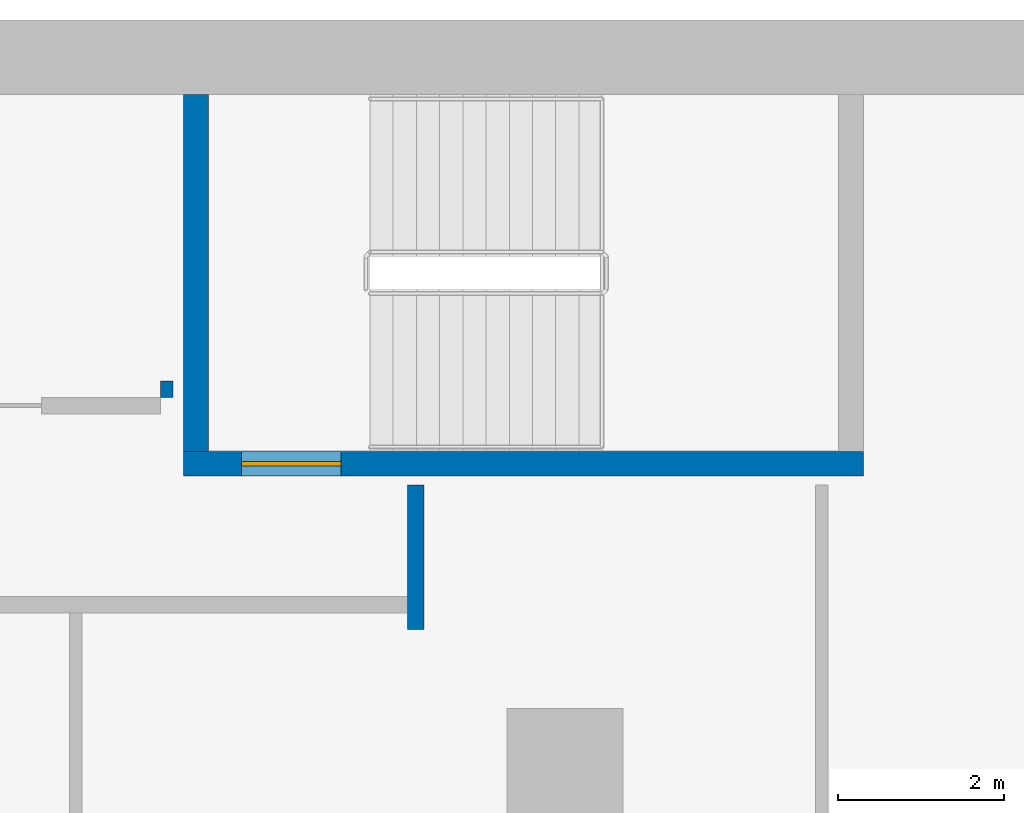
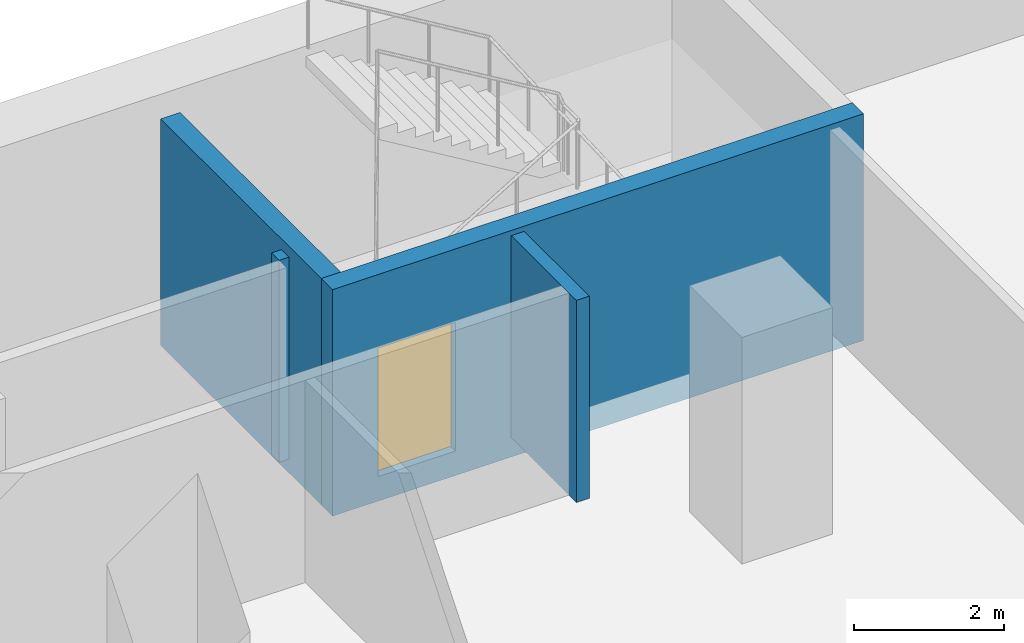
# One storey, part 17 of 29: 4 walls, 1 door, 1 opening.
"""IFC4 building model written with IfcOpenShell, lengths in metres."""

from ifc_helpers import new_model, si_unit, direction, frame, frame_2d, origin, place, context, subcontext, project, spatial, rectangle, extrude, material, layer, layer_set, type_object, element, fill, save


model = new_model("IFC4")

# Units and contexts
model_context = context("Model", 3, precision=1e-05, world=origin(), true_north=direction((0.0, 1.0)))
body_context = subcontext(model_context, "Body", "Model", "MODEL_VIEW")
ifc_project = project(units=[si_unit("LENGTHUNIT", "METRE"), si_unit("AREAUNIT", "SQUARE_METRE"), si_unit("VOLUMEUNIT", "CUBIC_METRE"), si_unit("PLANEANGLEUNIT", "RADIAN"), si_unit("MASSUNIT", "GRAM", prefix="KILO")], contexts=[model_context])

# Site, building, storey
site_placement = place(None, origin())
site = spatial("IfcSite", under=ifc_project, at=site_placement, CompositionType="ELEMENT")
building_placement = place(site_placement, origin())
building = spatial("IfcBuilding", under=site, at=building_placement, Name="Hunhe Ridgeline Campus", CompositionType="ELEMENT")
storey_placement = place(building_placement, frame((0.0, 0.0, 65.39990234375)))
storey = spatial("IfcBuildingStorey", under=building, at=storey_placement, Name="L15", CompositionType="ELEMENT", Elevation=65.39990234375)

# Walls
ifc_material_1 = material(Name="Gypsum board partition")
ifc_layer_1 = layer(ifc_material_1, 0.199951171875)
ifc_layer_set_1 = layer_set([ifc_layer_1], Name="Corridor partition 200 gypsum board on steel studs")
wall_type_1 = type_object("IfcWallType", Name="Corridor partition 200 gypsum board on steel studs", PredefinedType="PARTITIONING", material=ifc_layer_set_1)
wall_1_placement = place(storey_placement, frame((52.199951171875, 93.39599609375, 0.0), z_axis=(0.0, 0.0, 1.0), x_axis=(0.0, -1.0, 0.0)))
element("IfcWall", 1, at=wall_1_placement, inside=storey, type_object=wall_type_1, Name="F-L15-wall-064", PredefinedType="PARTITIONING", context=body_context, shape_type="SweptSolid", body=[
    extrude(rectangle(XDim=1.74609375, YDim=0.199951171875, at=frame_2d((0.873046875, 0.0))), origin(), (0.0, 0.0, 1.0), 3.300048828125),
])
ifc_layer_2 = layer(ifc_material_1, 0.14990234375)
ifc_layer_set_2 = layer_set([ifc_layer_2], Name="Room partition 150 gypsum board on steel studs")
wall_type_2 = type_object("IfcWallType", Name="Room partition 150 gypsum board on steel studs", PredefinedType="PARTITIONING", material=ifc_layer_set_2)
wall_2_placement = place(storey_placement, frame((49.199951171875, 94.64990234375, 0.0), z_axis=(0.0, 0.0, 1.0), x_axis=(0.0, -1.0, 0.0)))
element("IfcWall", 2, at=wall_2_placement, inside=storey, type_object=wall_type_2, Name="F-L15-wall-063", PredefinedType="PARTITIONING", context=body_context, shape_type="SweptSolid", body=[
    extrude(rectangle(XDim=0.199951171875, YDim=0.14990234375, at=frame_2d((0.10009765625, 0.0))), origin(), (0.0, 0.0, 1.0), 3.300048828125),
])

# Wall, opening, door
ifc_material_2 = material(Name="Concrete C80", Category="concrete")
ifc_layer_3 = layer(ifc_material_2, 0.300048828125)
ifc_layer_set_3 = layer_set([ifc_layer_3], Name="Stair wall 300 reinforced concrete C80")
wall_type_3 = type_object("IfcWallType", Name="Stair wall 300 reinforced concrete C80", PredefinedType="SOLIDWALL", material=ifc_layer_set_3)
wall_3_placement = place(storey_placement, frame((49.39990234375, 93.64990234375, -0.39990234375), z_axis=(0.0, 0.0, 1.0), x_axis=(1.0, 0.0, 0.0)))
wall_3 = element("IfcWall", 3, at=wall_3_placement, inside=storey, type_object=wall_type_3, Name="L15 core wall 33", PredefinedType="SOLIDWALL", context=body_context, shape_type="SweptSolid", body=[
    extrude(rectangle(XDim=8.2001953125, YDim=0.300048828125, at=frame_2d((4.10009765625, 0.0))), origin(), (0.0, 0.0, 1.0), 3.699951171875),
])
opening_placement = place(wall_3_placement, frame((0.699951171875, 0.0, 0.39990234375)))
opening = element("IfcOpeningElement", 4, at=opening_placement, cuts=wall_3, Name="Opening CD18", PredefinedType="OPENING", context=body_context, shape_type="SweptSolid", body=[
    extrude(rectangle(XDim=1.199951171875, YDim=2.10009765625, at=frame_2d((0.60009765625, 1.050048828125))), frame((0.0, 0.14990234375, 0.0), z_axis=(0.0, -1.0, 0.0), x_axis=(1.0, 0.0, 0.0)), (0.0, 0.0, 1.0), 0.300048828125),
])
ifc_material_3 = material(Name="Hollow metal fire door leaf")
door_type = type_object("IfcDoorType", Name="Stair door 1200x2100 FD60", OperationType="SINGLE_SWING_LEFT", PredefinedType="DOOR", material=ifc_material_3)
door_placement = place(opening_placement, frame((1.199951171875, 0.0, 0.0), z_axis=(0.0, 0.0, 1.0), x_axis=(-1.0, 0.0, 0.0)))
door = element("IfcDoor", 5, at=door_placement, inside=storey, type_object=door_type, Name="L15 door E2", OperationType="SINGLE_SWING_LEFT", OverallHeight=2.10009765625, OverallWidth=1.199951171875, PredefinedType="DOOR", context=body_context, shape_type="SweptSolid", body=[
    extrude(rectangle(XDim=1.199951171875, YDim=2.10009765625, at=frame_2d((0.60009765625, 1.050048828125))), frame((0.0, 0.02490234375, 0.0), z_axis=(0.0, -1.0, 0.0), x_axis=(1.0, 0.0, 0.0)), (0.0, 0.0, 1.0), 0.050048828125),
])
fill(opening, door)

# Wall
wall_4_placement = place(storey_placement, frame((49.550048828125, 93.800048828125, -0.39990234375), z_axis=(0.0, 0.0, 1.0), x_axis=(0.0, 1.0, 0.0)))
element("IfcWall", 6, at=wall_4_placement, inside=storey, type_object=wall_type_3, Name="L15 core wall 67", PredefinedType="SOLIDWALL", context=body_context, shape_type="SweptSolid", body=[
    extrude(rectangle(XDim=4.300048828125, YDim=0.300048828125, at=frame_2d((2.14990234375, 0.0))), origin(), (0.0, 0.0, 1.0), 3.699951171875),
])

save(model, "model.ifc")
